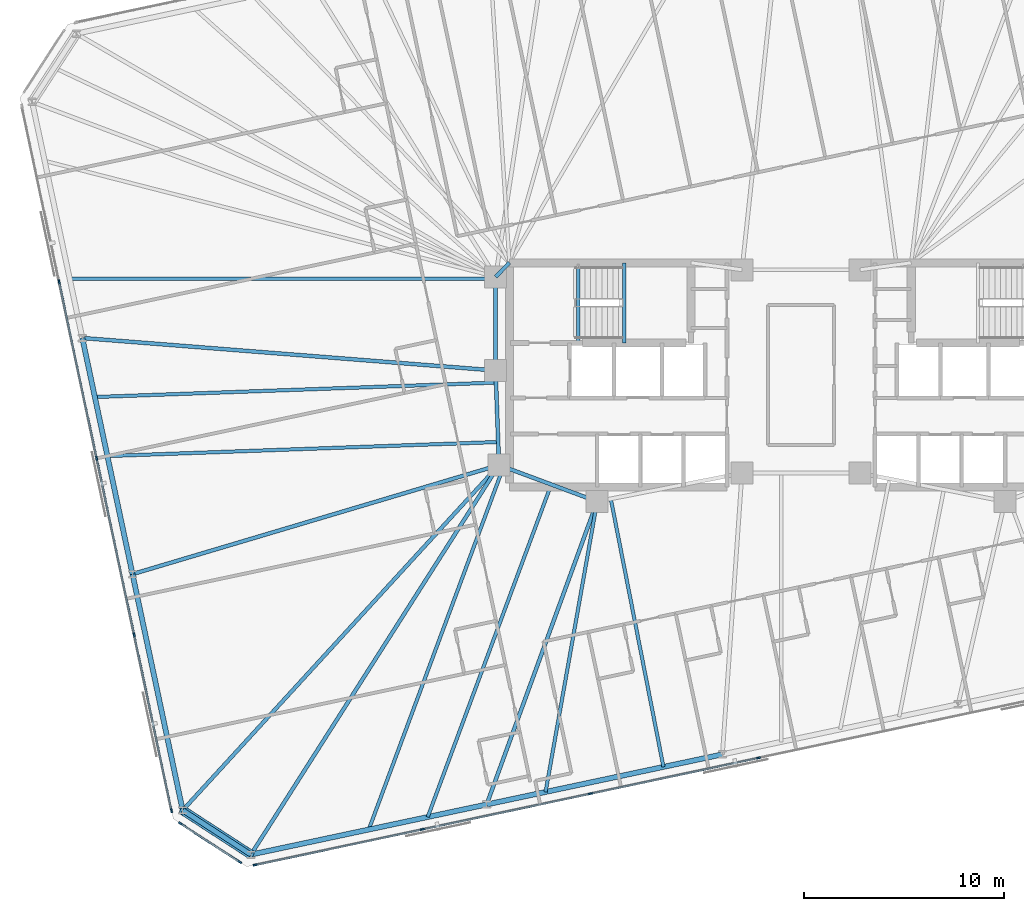
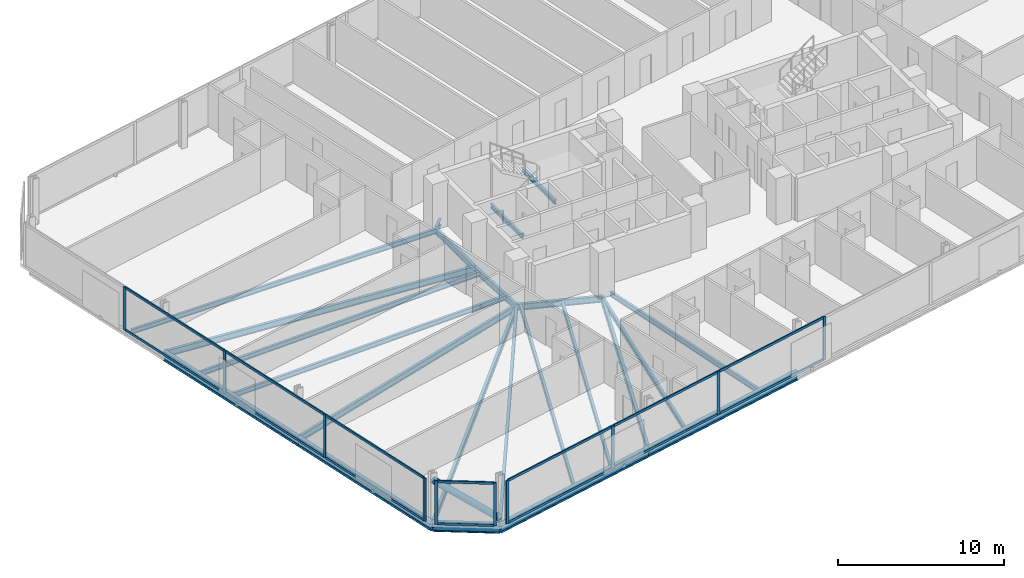
# One storey, part 6 of 21: 25 members, 23 beams, 3 elements without a shape of their own.
"""IFC4 building model written with IfcOpenShell, lengths in metres."""

from ifc_helpers import new_model, si_unit, direction, frame, origin, origin_2d, place, context, subcontext, project, spatial, rectangle, hollow_circle, i_section, extrude, material, material_profile, profile_set, type_object, element, aggregate, save


model = new_model("IFC4")

# Units and contexts
model_context = context("Model", 3, precision=1e-05, world=origin(), true_north=direction((0.0, 1.0)))
body_context = subcontext(model_context, "Body", "Model", "MODEL_VIEW")
ifc_project = project(units=[si_unit("LENGTHUNIT", "METRE"), si_unit("AREAUNIT", "SQUARE_METRE"), si_unit("VOLUMEUNIT", "CUBIC_METRE"), si_unit("PLANEANGLEUNIT", "RADIAN"), si_unit("MASSUNIT", "GRAM", prefix="KILO")], contexts=[model_context])

# Site, building, storey
site_placement = place(None, origin())
site = spatial("IfcSite", under=ifc_project, at=site_placement, CompositionType="ELEMENT")
building_placement = place(site_placement, origin())
building = spatial("IfcBuilding", under=site, at=building_placement, Name="Menara Jurai Vektor", CompositionType="ELEMENT")
storey_placement = place(building_placement, frame((0.0, 0.0, 188.800048828125)))
storey = spatial("IfcBuildingStorey", under=building, at=storey_placement, Name="L49", CompositionType="ELEMENT", Elevation=188.800048828125)

# Curtain wall, members
ifc_material_1 = material(Name="Anodised Pale Aluminium & Low-E Double Glazing", Category="aluminium")
curtain_wall_type = type_object("IfcCurtainWallType", Name="CW-BLK3", PredefinedType="NOTDEFINED", material=ifc_material_1)
curtain_wall_1_placement = place(storey_placement, origin())
curtain_wall_1 = element("IfcCurtainWall", 1, at=curtain_wall_1_placement, inside=storey, type_object=curtain_wall_type, Name="Unitised Curtain Wall L49 F01", PredefinedType="NOTDEFINED")
ifc_material_2 = material(Name="Anodised Pale Aluminium Mullion", Category="aluminium")
ifc_material_profile_1 = material_profile(ifc_material_2, rectangle(XDim=0.0849609375, YDim=0.205078125, at=origin_2d()), Name="ALU MUL 85x205")
ifc_profile_set_1 = profile_set([ifc_material_profile_1], Name="Anodised Pale Aluminium Mullion")
member_type_1 = type_object("IfcMemberType", Name="CW-BLK3-MUL", PredefinedType="MULLION", material=ifc_profile_set_1)
member_1_placement = place(storey_placement, frame((-27.25244140625, -24.462890625, 0.0), z_axis=(0.0, 0.0, 1.0), x_axis=(-0.207911344156, 0.978147674419, 0.0)))
member_1 = element("IfcMember", 2, at=member_1_placement, type_object=member_type_1, Name="CW-03 mullion 1", PredefinedType="MULLION", context=body_context, shape_type="SweptSolid", body=[
    extrude(rectangle(XDim=0.0849609375, YDim=0.205078125, at=origin_2d()), origin(), (0.0, 0.0, 1.0), 3.175048828125),
])
member_2_placement = place(storey_placement, frame((-18.904296875, -22.6884765625, 0.0), z_axis=(0.0, 0.0, 1.0), x_axis=(-0.207911344156, 0.978147674419, 0.0)))
member_2 = element("IfcMember", 3, at=member_2_placement, type_object=member_type_1, Name="CW-03 mullion 2", PredefinedType="MULLION", context=body_context, shape_type="SweptSolid", body=[
    extrude(rectangle(XDim=0.0849609375, YDim=0.205078125, at=origin_2d()), origin(), (0.0, 0.0, 1.0), 3.175048828125),
])
member_3_placement = place(storey_placement, frame((-10.514404296875, -20.905029296875, 0.0), z_axis=(0.0, 0.0, 1.0), x_axis=(-0.207911344156, 0.978147674419, 0.0)))
member_3 = element("IfcMember", 4, at=member_3_placement, type_object=member_type_1, Name="CW-03 mullion 3", PredefinedType="MULLION", context=body_context, shape_type="SweptSolid", body=[
    extrude(rectangle(XDim=0.0849609375, YDim=0.205078125, at=origin_2d()), origin(), (0.0, 0.0, 1.0), 3.175048828125),
])
member_4_placement = place(storey_placement, frame((-2.124755859375, -19.121826171875, 0.0), z_axis=(0.0, 0.0, 1.0), x_axis=(-0.207911344156, 0.978147674419, 0.0)))
member_4 = element("IfcMember", 5, at=member_4_placement, type_object=member_type_1, Name="CW-03 mullion 4", PredefinedType="MULLION", context=body_context, shape_type="SweptSolid", body=[
    extrude(rectangle(XDim=0.0849609375, YDim=0.205078125, at=origin_2d()), origin(), (0.0, 0.0, 1.0), 3.175048828125),
])

curtain_wall_2_placement = place(storey_placement, origin())
curtain_wall_2 = element("IfcCurtainWall", 6, at=curtain_wall_2_placement, inside=storey, type_object=curtain_wall_type, Name="Unitised Curtain Wall L49 F07", PredefinedType="NOTDEFINED")
member_5_placement = place(storey_placement, frame((-37.041259765625, 4.648193359375, 0.0), z_axis=(0.0, 0.0, 1.0), x_axis=(0.978147883949, 0.20791035839, 0.0)))
member_5 = element("IfcMember", 7, at=member_5_placement, type_object=member_type_1, Name="CW-03 mullion 2", PredefinedType="MULLION", context=body_context, shape_type="SweptSolid", body=[
    extrude(rectangle(XDim=0.0849609375, YDim=0.205078125, at=origin_2d()), origin(), (0.0, 0.0, 1.0), 3.175048828125),
])
member_6_placement = place(storey_placement, frame((-35.16796875, -4.1650390625, 0.0), z_axis=(0.0, 0.0, 1.0), x_axis=(0.978147883949, 0.20791035839, 0.0)))
member_6 = element("IfcMember", 8, at=member_6_placement, type_object=member_type_1, Name="CW-03 mullion 3", PredefinedType="MULLION", context=body_context, shape_type="SweptSolid", body=[
    extrude(rectangle(XDim=0.0849609375, YDim=0.205078125, at=origin_2d()), origin(), (0.0, 0.0, 1.0), 3.175048828125),
])
member_7_placement = place(storey_placement, frame((-33.294677734375, -12.978271484375, 0.0), z_axis=(0.0, 0.0, 1.0), x_axis=(0.978147883949, 0.20791035839, 0.0)))
member_7 = element("IfcMember", 9, at=member_7_placement, type_object=member_type_1, Name="CW-03 mullion 4", PredefinedType="MULLION", context=body_context, shape_type="SweptSolid", body=[
    extrude(rectangle(XDim=0.0849609375, YDim=0.205078125, at=origin_2d()), origin(), (0.0, 0.0, 1.0), 3.175048828125),
])
member_8_placement = place(storey_placement, frame((-31.43017578125, -21.749755859375, 0.0), z_axis=(0.0, 0.0, 1.0), x_axis=(0.978147883949, 0.20791035839, 0.0)))
member_8 = element("IfcMember", 10, at=member_8_placement, type_object=member_type_1, Name="CW-03 mullion 5", PredefinedType="MULLION", context=body_context, shape_type="SweptSolid", body=[
    extrude(rectangle(XDim=0.0849609375, YDim=0.205078125, at=origin_2d()), origin(), (0.0, 0.0, 1.0), 3.175048828125),
])

curtain_wall_3_placement = place(storey_placement, origin())
curtain_wall_3 = element("IfcCurtainWall", 11, at=curtain_wall_3_placement, inside=storey, type_object=curtain_wall_type, Name="Unitised Curtain Wall L49 F08", PredefinedType="NOTDEFINED")
member_9_placement = place(storey_placement, frame((-30.988037109375, -22.39306640625, 0.0), z_axis=(0.0, 0.0, 1.0), x_axis=(0.544617794346, 0.838684361415, 0.0)))
member_9 = element("IfcMember", 12, at=member_9_placement, type_object=member_type_1, Name="CW-03 mullion 1", PredefinedType="MULLION", context=body_context, shape_type="SweptSolid", body=[
    extrude(rectangle(XDim=0.0849609375, YDim=0.205078125, at=origin_2d()), origin(), (0.0, 0.0, 1.0), 3.175048828125),
])
member_10_placement = place(storey_placement, frame((-28.02001953125, -24.320556640625, 0.0), z_axis=(0.0, 0.0, 1.0), x_axis=(0.544617794346, 0.838684361415, 0.0)))
member_10 = element("IfcMember", 13, at=member_10_placement, type_object=member_type_1, Name="CW-03 mullion 2", PredefinedType="MULLION", context=body_context, shape_type="SweptSolid", body=[
    extrude(rectangle(XDim=0.0849609375, YDim=0.205078125, at=origin_2d()), origin(), (0.0, 0.0, 1.0), 3.175048828125),
])

# Member
ifc_material_3 = material(Name="Anodised Pale Aluminium Transom", Category="aluminium")
ifc_material_profile_2 = material_profile(ifc_material_3, rectangle(XDim=0.0849609375, YDim=0.175048828125, at=origin_2d()), Name="ALU TRN 85x175")
ifc_profile_set_2 = profile_set([ifc_material_profile_2], Name="Anodised Pale Aluminium Transom")
member_type_2 = type_object("IfcMemberType", Name="CW-BLK3-TRN", PredefinedType="USERDEFINED", material=ifc_profile_set_2)
member_11_placement = place(storey_placement, frame((-27.210693359375, -24.4541015625, 0.04248046875), z_axis=(0.978145704369, 0.207920612313, 0.0), x_axis=(-0.207920612313, 0.978145704369, 0.0)))
member_11 = element("IfcMember", 14, at=member_11_placement, type_object=member_type_2, Name="CW-03 transom 1.1", ObjectType="TRANSOM", PredefinedType="USERDEFINED", context=body_context, shape_type="SweptSolid", body=[
    extrude(rectangle(XDim=0.0849609375, YDim=0.175048828125, at=origin_2d()), origin(), (0.0, 0.0, 1.0), 8.449462890625),
])

member_12_placement = place(storey_placement, frame((-27.210693359375, -24.4541015625, 3.132568359375), z_axis=(0.978145704369, 0.207920612313, 0.0), x_axis=(-0.207920612313, 0.978145704369, 0.0)))
member_12 = element("IfcMember", 15, at=member_12_placement, type_object=member_type_2, Name="CW-03 transom 1.2", ObjectType="TRANSOM", PredefinedType="USERDEFINED", context=body_context, shape_type="SweptSolid", body=[
    extrude(rectangle(XDim=0.0849609375, YDim=0.175048828125, at=origin_2d()), origin(), (0.0, 0.0, 1.0), 8.449462890625),
])

member_13_placement = place(storey_placement, frame((-18.862548828125, -22.6796875, 0.04248046875), z_axis=(0.978146500933, 0.207916864907, 0.0), x_axis=(-0.207916864907, 0.978146500933, 0.0)))
member_13 = element("IfcMember", 16, at=member_13_placement, type_object=member_type_2, Name="CW-03 transom 2.1", ObjectType="TRANSOM", PredefinedType="USERDEFINED", context=body_context, shape_type="SweptSolid", body=[
    extrude(rectangle(XDim=0.0849609375, YDim=0.175048828125, at=origin_2d()), origin(), (0.0, 0.0, 1.0), 8.491943359375),
])

member_14_placement = place(storey_placement, frame((-18.862548828125, -22.6796875, 3.132568359375), z_axis=(0.978146500933, 0.207916864907, 0.0), x_axis=(-0.207916864907, 0.978146500933, 0.0)))
member_14 = element("IfcMember", 17, at=member_14_placement, type_object=member_type_2, Name="CW-03 transom 2.2", ObjectType="TRANSOM", PredefinedType="USERDEFINED", context=body_context, shape_type="SweptSolid", body=[
    extrude(rectangle(XDim=0.0849609375, YDim=0.175048828125, at=origin_2d()), origin(), (0.0, 0.0, 1.0), 8.491943359375),
])

member_15_placement = place(storey_placement, frame((-10.472900390625, -20.896240234375, 0.04248046875), z_axis=(0.978147743708, 0.207911018178, 0.0), x_axis=(-0.207911018178, 0.978147743708, 0.0)))
member_15 = element("IfcMember", 18, at=member_15_placement, type_object=member_type_2, Name="CW-03 transom 3.1", ObjectType="TRANSOM", PredefinedType="USERDEFINED", context=body_context, shape_type="SweptSolid", body=[
    extrude(rectangle(XDim=0.0849609375, YDim=0.175048828125, at=origin_2d()), origin(), (0.0, 0.0, 1.0), 8.4921875),
])

member_16_placement = place(storey_placement, frame((-10.472900390625, -20.896240234375, 3.132568359375), z_axis=(0.978147743708, 0.207911018178, 0.0), x_axis=(-0.207911018178, 0.978147743708, 0.0)))
member_16 = element("IfcMember", 19, at=member_16_placement, type_object=member_type_2, Name="CW-03 transom 3.2", ObjectType="TRANSOM", PredefinedType="USERDEFINED", context=body_context, shape_type="SweptSolid", body=[
    extrude(rectangle(XDim=0.0849609375, YDim=0.175048828125, at=origin_2d()), origin(), (0.0, 0.0, 1.0), 8.4921875),
])

aggregate(curtain_wall_1, [member_1, member_2, member_3, member_4, member_11, member_12, member_13, member_14, member_15, member_16])

member_17_placement = place(storey_placement, frame((-37.032470703125, 4.6064453125, 0.04248046875), z_axis=(0.207922224243, -0.978145361726, 0.0), x_axis=(0.978145361726, 0.207922224243, 0.0)))
member_17 = element("IfcMember", 20, at=member_17_placement, type_object=member_type_2, Name="CW-03 transom 2.1", ObjectType="TRANSOM", PredefinedType="USERDEFINED", context=body_context, shape_type="SweptSolid", body=[
    extrude(rectangle(XDim=0.0849609375, YDim=0.175048828125, at=origin_2d()), origin(), (0.0, 0.0, 1.0), 8.925048828125),
])

member_18_placement = place(storey_placement, frame((-37.032470703125, 4.6064453125, 3.132568359375), z_axis=(0.207922224243, -0.978145361726, 0.0), x_axis=(0.978145361726, 0.207922224243, 0.0)))
member_18 = element("IfcMember", 21, at=member_18_placement, type_object=member_type_2, Name="CW-03 transom 2.2", ObjectType="TRANSOM", PredefinedType="USERDEFINED", context=body_context, shape_type="SweptSolid", body=[
    extrude(rectangle(XDim=0.0849609375, YDim=0.175048828125, at=origin_2d()), origin(), (0.0, 0.0, 1.0), 8.925048828125),
])

member_19_placement = place(storey_placement, frame((-35.1591796875, -4.20654296875, 0.04248046875), z_axis=(0.207922224243, -0.978145361726, 0.0), x_axis=(0.978145361726, 0.207922224243, 0.0)))
member_19 = element("IfcMember", 22, at=member_19_placement, type_object=member_type_2, Name="CW-03 transom 3.1", ObjectType="TRANSOM", PredefinedType="USERDEFINED", context=body_context, shape_type="SweptSolid", body=[
    extrude(rectangle(XDim=0.0849609375, YDim=0.175048828125, at=origin_2d()), origin(), (0.0, 0.0, 1.0), 8.925048828125),
])

member_20_placement = place(storey_placement, frame((-35.1591796875, -4.20654296875, 3.132568359375), z_axis=(0.207922224243, -0.978145361726, 0.0), x_axis=(0.978145361726, 0.207922224243, 0.0)))
member_20 = element("IfcMember", 23, at=member_20_placement, type_object=member_type_2, Name="CW-03 transom 3.2", ObjectType="TRANSOM", PredefinedType="USERDEFINED", context=body_context, shape_type="SweptSolid", body=[
    extrude(rectangle(XDim=0.0849609375, YDim=0.175048828125, at=origin_2d()), origin(), (0.0, 0.0, 1.0), 8.925048828125),
])

member_21_placement = place(storey_placement, frame((-33.285888671875, -13.019775390625, 0.04248046875), z_axis=(0.207925814542, -0.978144598537, 0.0), x_axis=(0.978144598537, 0.207925814542, 0.0)))
member_21 = element("IfcMember", 24, at=member_21_placement, type_object=member_type_2, Name="CW-03 transom 4.1", ObjectType="TRANSOM", PredefinedType="USERDEFINED", context=body_context, shape_type="SweptSolid", body=[
    extrude(rectangle(XDim=0.0849609375, YDim=0.175048828125, at=origin_2d()), origin(), (0.0, 0.0, 1.0), 8.882568359375),
])

member_22_placement = place(storey_placement, frame((-33.285888671875, -13.019775390625, 3.132568359375), z_axis=(0.207925814542, -0.978144598537, 0.0), x_axis=(0.978144598537, 0.207925814542, 0.0)))
member_22 = element("IfcMember", 25, at=member_22_placement, type_object=member_type_2, Name="CW-03 transom 4.2", ObjectType="TRANSOM", PredefinedType="USERDEFINED", context=body_context, shape_type="SweptSolid", body=[
    extrude(rectangle(XDim=0.0849609375, YDim=0.175048828125, at=origin_2d()), origin(), (0.0, 0.0, 1.0), 8.882568359375),
])

aggregate(curtain_wall_2, [member_5, member_6, member_7, member_8, member_17, member_18, member_19, member_20, member_21, member_22])

member_23_placement = place(storey_placement, frame((-30.952392578125, -22.416259765625, 0.04248046875), z_axis=(0.83867770631, -0.54462804274, 0.0), x_axis=(0.54462804274, 0.83867770631, 0.0)))
member_23 = element("IfcMember", 26, at=member_23_placement, type_object=member_type_2, Name="CW-03 transom 1.1", ObjectType="TRANSOM", PredefinedType="USERDEFINED", context=body_context, shape_type="SweptSolid", body=[
    extrude(rectangle(XDim=0.0849609375, YDim=0.175048828125, at=origin_2d()), origin(), (0.0, 0.0, 1.0), 3.453857421875),
])

member_24_placement = place(storey_placement, frame((-30.952392578125, -22.416259765625, 3.132568359375), z_axis=(0.83867770631, -0.54462804274, 0.0), x_axis=(0.54462804274, 0.83867770631, 0.0)))
member_24 = element("IfcMember", 27, at=member_24_placement, type_object=member_type_2, Name="CW-03 transom 1.2", ObjectType="TRANSOM", PredefinedType="USERDEFINED", context=body_context, shape_type="SweptSolid", body=[
    extrude(rectangle(XDim=0.0849609375, YDim=0.175048828125, at=origin_2d()), origin(), (0.0, 0.0, 1.0), 3.453857421875),
])

aggregate(curtain_wall_3, [member_9, member_10, member_23, member_24])

# Beams
ifc_material_4 = material(Name="Steel S355", Category="steel")
ifc_material_profile_3 = material_profile(ifc_material_4, i_section(OverallWidth=0.19091796875, OverallDepth=0.4599609375, WebThickness=0.010009765625, FlangeThickness=0.01611328125, FilletRadius=0.010009765625, at=origin_2d()), Name="UKB 457x191x82")
ifc_profile_set_3 = profile_set([ifc_material_profile_3], Name="Steel S355")
beam_type_1 = type_object("IfcBeamType", Name="STR-BM-457", PredefinedType="BEAM", material=ifc_profile_set_3)
beam_1_placement = place(storey_placement, frame((-15.25, 4.89990234375, -0.455078125), z_axis=(0.701871936926, 0.712303154672, 0.0), x_axis=(-0.712303154672, 0.701871936926, 0.0)))
element("IfcBeam", 28, at=beam_1_placement, inside=storey, type_object=beam_type_1, Name="Core Ring Header Girder L49-CHW-N1", PredefinedType="BEAM", context=body_context, shape_type="SweptSolid", body=[
    extrude(i_section(OverallWidth=0.19091796875, OverallDepth=0.4599609375, WebThickness=0.010009765625, FlangeThickness=0.01611328125, FilletRadius=0.010009765625, at=origin_2d()), origin(), (0.0, 0.0, 1.0), 0.98291015625),
])
beam_2_placement = place(storey_placement, frame((-15.25, 0.219970703125, -0.455078125), z_axis=(0.0, 1.0, 0.0), x_axis=(-1.0, 0.0, 0.0)))
element("IfcBeam", 29, at=beam_2_placement, inside=storey, type_object=beam_type_1, Name="Core Ring Header Girder L49-CHW-W1", PredefinedType="BEAM", context=body_context, shape_type="SweptSolid", body=[
    extrude(i_section(OverallWidth=0.19091796875, OverallDepth=0.4599609375, WebThickness=0.010009765625, FlangeThickness=0.01611328125, FilletRadius=0.010009765625, at=origin_2d()), origin(), (0.0, 0.0, 1.0), 4.679931640625),
])
beam_3_placement = place(storey_placement, frame((-15.080078125, -4.5, -0.455078125), z_axis=(-0.035977314146, 0.999352606874, 0.0), x_axis=(-0.999352606874, -0.035977314146, 0.0)))
element("IfcBeam", 30, at=beam_3_placement, inside=storey, type_object=beam_type_1, Name="Core Ring Header Girder L49-CHW-W2", PredefinedType="BEAM", context=body_context, shape_type="SweptSolid", body=[
    extrude(i_section(OverallWidth=0.19091796875, OverallDepth=0.4599609375, WebThickness=0.010009765625, FlangeThickness=0.01611328125, FilletRadius=0.010009765625, at=origin_2d()), origin(), (0.0, 0.0, 1.0), 4.72314453125),
])
beam_4_placement = place(storey_placement, frame((-15.080078125, -4.5, -0.455078125), z_axis=(0.937424400887, -0.348188874925, 0.0), x_axis=(0.348188874925, 0.937424400887, 0.0)))
element("IfcBeam", 31, at=beam_4_placement, inside=storey, type_object=beam_type_1, Name="Core Ring Header Girder L49-CHW-S1", PredefinedType="BEAM", context=body_context, shape_type="SweptSolid", body=[
    extrude(i_section(OverallWidth=0.19091796875, OverallDepth=0.4599609375, WebThickness=0.010009765625, FlangeThickness=0.01611328125, FilletRadius=0.010009765625, at=origin_2d()), origin(), (0.0, 0.0, 1.0), 5.227294921875),
])
beam_5_placement = place(storey_placement, frame((-27.46484375, -23.94580078125, -0.455078125), z_axis=(0.537189280991, 0.843461721946, 0.0), x_axis=(-0.843461721946, 0.537189280991, 0.0)))
element("IfcBeam", 32, at=beam_5_placement, inside=storey, type_object=beam_type_1, Name="Radial Floor Girder L49-S1", PredefinedType="BEAM", context=body_context, shape_type="SweptSolid", body=[
    extrude(i_section(OverallWidth=0.19091796875, OverallDepth=0.4599609375, WebThickness=0.010009765625, FlangeThickness=0.01611328125, FilletRadius=0.010009765625, at=origin_2d()), origin(), (0.0, 0.0, 1.0), 23.0546875),
])
beam_6_placement = place(storey_placement, frame((-15.696533203125, -21.4443359375, -0.455078125), z_axis=(0.342668294367, 0.939456459893, 0.0), x_axis=(-0.939456459893, 0.342668294367, 0.0)))
element("IfcBeam", 33, at=beam_6_placement, inside=storey, type_object=beam_type_1, Name="Radial Floor Girder L49-S2", PredefinedType="BEAM", context=body_context, shape_type="SweptSolid", body=[
    extrude(i_section(OverallWidth=0.19091796875, OverallDepth=0.4599609375, WebThickness=0.010009765625, FlangeThickness=0.01611328125, FilletRadius=0.010009765625, at=origin_2d()), origin(), (0.0, 0.0, 1.0), 16.098876953125),
])
beam_7_placement = place(storey_placement, frame((-35.8828125, 1.843505859375, -0.455078125), z_axis=(0.996918476483, -0.078444574364, 0.0), x_axis=(0.078444574364, 0.996918476483, 0.0)))
element("IfcBeam", 34, at=beam_7_placement, inside=storey, type_object=beam_type_1, Name="Radial Floor Girder L49-W2", PredefinedType="BEAM", context=body_context, shape_type="SweptSolid", body=[
    extrude(i_section(OverallWidth=0.19091796875, OverallDepth=0.4599609375, WebThickness=0.010009765625, FlangeThickness=0.01611328125, FilletRadius=0.010009765625, at=origin_2d()), origin(), (0.0, 0.0, 1.0), 20.696533203125),
])
beam_8_placement = place(storey_placement, frame((-33.377197265625, -9.94482421875, -0.455078125), z_axis=(0.958462775407, 0.285217650505, 0.0), x_axis=(-0.285217650505, 0.958462775407, 0.0)))
element("IfcBeam", 35, at=beam_8_placement, inside=storey, type_object=beam_type_1, Name="Radial Floor Girder L49-W3", PredefinedType="BEAM", context=body_context, shape_type="SweptSolid", body=[
    extrude(i_section(OverallWidth=0.19091796875, OverallDepth=0.4599609375, WebThickness=0.010009765625, FlangeThickness=0.01611328125, FilletRadius=0.010009765625, at=origin_2d()), origin(), (0.0, 0.0, 1.0), 19.090087890625),
])
beam_9_placement = place(storey_placement, frame((-30.871337890625, -21.7333984375, -0.455078125), z_axis=(0.675584615662, 0.737282460852, 0.0), x_axis=(-0.737282460852, 0.675584615662, 0.0)))
element("IfcBeam", 36, at=beam_9_placement, inside=storey, type_object=beam_type_1, Name="Radial Floor Girder L49-W4", PredefinedType="BEAM", context=body_context, shape_type="SweptSolid", body=[
    extrude(i_section(OverallWidth=0.19091796875, OverallDepth=0.4599609375, WebThickness=0.010009765625, FlangeThickness=0.01611328125, FilletRadius=0.010009765625, at=origin_2d()), origin(), (0.0, 0.0, 1.0), 23.374267578125),
])

# Member
ifc_material_5 = material(Name="Steel S460", Category="steel")
ifc_material_profile_4 = material_profile(ifc_material_5, hollow_circle(Radius=0.228515625, WallThickness=0.01611328125, at=origin_2d()), Name="CHS 457x16")
ifc_profile_set_4 = profile_set([ifc_material_profile_4], Name="Steel S460")
member_type_3 = type_object("IfcMemberType", Name="STR-BR-457", PredefinedType="BRACE", material=ifc_profile_set_4)
member_25_placement = place(storey_placement, frame((-27.46484375, -23.94580078125, 0.14990234375), z_axis=(-0.700402825662, 0.454887866849, 0.5500117366), x_axis=(-0.544673525608, -0.838648168484, 0.0)))
element("IfcMember", 37, at=member_25_placement, inside=storey, type_object=member_type_3, Name="Exoskeleton Corner Brace L49-4", PredefinedType="BRACE", context=body_context, shape_type="SweptSolid", body=[
    extrude(hollow_circle(Radius=0.228515625, WallThickness=0.01611328125, at=origin_2d()), origin(), (0.0, 0.0, 1.0), 4.863525390625),
])

# Beams
ifc_material_profile_5 = material_profile(ifc_material_4, i_section(OverallWidth=0.172119140625, OverallDepth=0.35498046875, WebThickness=0.007080078125, FlangeThickness=0.011962890625, FilletRadius=0.010009765625, at=origin_2d()), Name="UKB 356x171x51")
ifc_profile_set_5 = profile_set([ifc_material_profile_5], Name="Steel S355")
beam_type_2 = type_object("IfcBeamType", Name="STR-JS-356", PredefinedType="JOIST", material=ifc_profile_set_5)
beam_10_placement = place(storey_placement, frame((-21.580810546875, -22.695068359375, -0.402587890625), z_axis=(0.348190019635, 0.937423975705, 0.0), x_axis=(-0.937423975705, 0.348190019635, 0.0)))
element("IfcBeam", 38, at=beam_10_placement, inside=storey, type_object=beam_type_2, Name="Radial Secondary Floor Joist L49-JS01", PredefinedType="JOIST", context=body_context, shape_type="SweptSolid", body=[
    extrude(i_section(OverallWidth=0.172119140625, OverallDepth=0.35498046875, WebThickness=0.007080078125, FlangeThickness=0.011962890625, FilletRadius=0.010009765625, at=origin_2d()), origin(), (0.0, 0.0, 1.0), 19.320068359375),
])
beam_11_placement = place(storey_placement, frame((-18.638671875, -22.069580078125, -0.402587890625), z_axis=(0.348193798412, 0.937422572135, 0.0), x_axis=(-0.937422572135, 0.348193798412, 0.0)))
element("IfcBeam", 39, at=beam_11_placement, inside=storey, type_object=beam_type_2, Name="Radial Secondary Floor Joist L49-JS02", PredefinedType="JOIST", context=body_context, shape_type="SweptSolid", body=[
    extrude(i_section(OverallWidth=0.172119140625, OverallDepth=0.35498046875, WebThickness=0.007080078125, FlangeThickness=0.011962890625, FilletRadius=0.010009765625, at=origin_2d()), origin(), (0.0, 0.0, 1.0), 17.709228515625),
])
beam_12_placement = place(storey_placement, frame((-12.75439453125, -20.819091796875, -0.402587890625), z_axis=(0.174826548521, 0.984599247375, 0.0), x_axis=(-0.984599247375, 0.174826548521, 0.0)))
element("IfcBeam", 40, at=beam_12_placement, inside=storey, type_object=beam_type_2, Name="Radial Secondary Floor Joist L49-JS03", PredefinedType="JOIST", context=body_context, shape_type="SweptSolid", body=[
    extrude(i_section(OverallWidth=0.172119140625, OverallDepth=0.35498046875, WebThickness=0.007080078125, FlangeThickness=0.011962890625, FilletRadius=0.010009765625, at=origin_2d()), origin(), (0.0, 0.0, 1.0), 14.725830078125),
])
beam_13_placement = place(storey_placement, frame((-6.870361328125, -19.568359375, -0.402587890625), z_axis=(-0.19273083746, 0.981251662058, 0.0), x_axis=(-0.981251662058, -0.19273083746, 0.0)))
element("IfcBeam", 41, at=beam_13_placement, inside=storey, type_object=beam_type_2, Name="Radial Secondary Floor Joist L49-JS04", PredefinedType="JOIST", context=body_context, shape_type="SweptSolid", body=[
    extrude(i_section(OverallWidth=0.172119140625, OverallDepth=0.35498046875, WebThickness=0.007080078125, FlangeThickness=0.011962890625, FilletRadius=0.010009765625, at=origin_2d()), origin(), (0.0, 0.0, 1.0), 13.6376953125),
])
beam_14_placement = place(storey_placement, frame((-36.50927734375, 4.790771484375, -0.402587890625), z_axis=(1.0, 0.0, 0.0), x_axis=(0.0, 1.0, 0.0)))
element("IfcBeam", 42, at=beam_14_placement, inside=storey, type_object=beam_type_2, Name="Radial Secondary Floor Joist L49-JS30", PredefinedType="JOIST", context=body_context, shape_type="SweptSolid", body=[
    extrude(i_section(OverallWidth=0.172119140625, OverallDepth=0.35498046875, WebThickness=0.007080078125, FlangeThickness=0.011962890625, FilletRadius=0.010009765625, at=origin_2d()), origin(), (0.0, 0.0, 1.0), 21.25927734375),
])
beam_15_placement = place(storey_placement, frame((-35.25634765625, -1.103515625, -0.402587890625), z_axis=(0.999351866858, 0.035997863919, 0.0), x_axis=(-0.035997863919, 0.999351866858, 0.0)))
element("IfcBeam", 43, at=beam_15_placement, inside=storey, type_object=beam_type_2, Name="Radial Secondary Floor Joist L49-JS31", PredefinedType="JOIST", context=body_context, shape_type="SweptSolid", body=[
    extrude(i_section(OverallWidth=0.172119140625, OverallDepth=0.35498046875, WebThickness=0.007080078125, FlangeThickness=0.011962890625, FilletRadius=0.010009765625, at=origin_2d()), origin(), (0.0, 0.0, 1.0), 20.041015625),
])
beam_16_placement = place(storey_placement, frame((-34.6298828125, -4.05078125, -0.402587890625), z_axis=(0.999352006705, 0.035993981369, 0.0), x_axis=(-0.035993981369, 0.999352006705, 0.0)))
element("IfcBeam", 44, at=beam_16_placement, inside=storey, type_object=beam_type_2, Name="Radial Secondary Floor Joist L49-JS32", PredefinedType="JOIST", context=body_context, shape_type="SweptSolid", body=[
    extrude(i_section(OverallWidth=0.172119140625, OverallDepth=0.35498046875, WebThickness=0.007080078125, FlangeThickness=0.011962890625, FilletRadius=0.010009765625, at=origin_2d()), origin(), (0.0, 0.0, 1.0), 19.52099609375),
])
ifc_material_profile_6 = material_profile(ifc_material_4, i_section(OverallWidth=0.1650390625, OverallDepth=0.302978515625, WebThickness=0.006103515625, FlangeThickness=0.010009765625, FilletRadius=0.009033203125, at=origin_2d()), Name="UKB 305x165x40")
ifc_profile_set_6 = profile_set([ifc_material_profile_6], Name="Steel S355")
beam_type_3 = type_object("IfcBeamType", Name="STR-LN-305", PredefinedType="LINTEL", material=ifc_profile_set_6)
beam_17_placement = place(storey_placement, frame((-11.1201171875, 1.60009765625, -0.37646484375), z_axis=(0.0, 1.0, 0.0), x_axis=(-1.0, 0.0, 0.0)))
element("IfcBeam", 45, at=beam_17_placement, inside=storey, type_object=beam_type_3, Name="Stair Well Floor Trimmer ST1 L49", PredefinedType="LINTEL", context=body_context, shape_type="SweptSolid", body=[
    extrude(i_section(OverallWidth=0.1650390625, OverallDepth=0.302978515625, WebThickness=0.006103515625, FlangeThickness=0.010009765625, FilletRadius=0.009033203125, at=origin_2d()), origin(), (0.0, 0.0, 1.0), 3.81982421875),
])
beam_18_placement = place(storey_placement, frame((-8.830078125, 1.60009765625, 1.348388671875), z_axis=(0.0, 1.0, 0.0), x_axis=(-1.0, 0.0, 0.0)))
element("IfcBeam", 46, at=beam_18_placement, inside=storey, type_object=beam_type_3, Name="Stair Half-Landing Nosing Trimmer ST1-1 L49", PredefinedType="LINTEL", context=body_context, shape_type="SweptSolid", body=[
    extrude(i_section(OverallWidth=0.1650390625, OverallDepth=0.302978515625, WebThickness=0.006103515625, FlangeThickness=0.010009765625, FilletRadius=0.009033203125, at=origin_2d()), origin(), (0.0, 0.0, 1.0), 4.0),
])
ifc_material_profile_7 = material_profile(ifc_material_5, i_section(OverallWidth=0.256103515625, OverallDepth=0.693115234375, WebThickness=0.013916015625, FlangeThickness=0.02392578125, FilletRadius=0.014892578125, at=origin_2d()), Name="UKB 686x254x170")
ifc_profile_set_7 = profile_set([ifc_material_profile_7], Name="Steel S460")
beam_type_4 = type_object("IfcBeamType", Name="STR-SP-686", PredefinedType="SPANDREL", material=ifc_profile_set_7)
beam_19_placement = place(storey_placement, frame((-27.46484375, -23.94580078125, -0.571533203125), z_axis=(0.978147039247, 0.207914332389, 0.0), x_axis=(-0.207914332389, 0.978147039247, 0.0)))
element("IfcBeam", 47, at=beam_19_placement, inside=storey, type_object=beam_type_4, Name="Exoskeleton Spandrel Beam L49-01", PredefinedType="SPANDREL", context=body_context, shape_type="SweptSolid", body=[
    extrude(i_section(OverallWidth=0.256103515625, OverallDepth=0.693115234375, WebThickness=0.013916015625, FlangeThickness=0.02392578125, FilletRadius=0.014892578125, at=origin_2d()), origin(), (0.0, 0.0, 1.0), 12.03125),
])
beam_20_placement = place(storey_placement, frame((-15.696533203125, -21.4443359375, -0.571533203125), z_axis=(0.97814616202, 0.207918459318, 0.0), x_axis=(-0.207918459318, 0.97814616202, 0.0)))
element("IfcBeam", 48, at=beam_20_placement, inside=storey, type_object=beam_type_4, Name="Exoskeleton Spandrel Beam L49-02", PredefinedType="SPANDREL", context=body_context, shape_type="SweptSolid", body=[
    extrude(i_section(OverallWidth=0.256103515625, OverallDepth=0.693115234375, WebThickness=0.013916015625, FlangeThickness=0.02392578125, FilletRadius=0.014892578125, at=origin_2d()), origin(), (0.0, 0.0, 1.0), 12.031005859375),
])
beam_21_placement = place(storey_placement, frame((-35.8828125, 1.843505859375, -0.571533203125), z_axis=(0.207906000604, -0.978148810209, 0.0), x_axis=(0.978148810209, 0.207906000604, 0.0)))
element("IfcBeam", 49, at=beam_21_placement, inside=storey, type_object=beam_type_4, Name="Exoskeleton Spandrel Beam L49-18", PredefinedType="SPANDREL", context=body_context, shape_type="SweptSolid", body=[
    extrude(i_section(OverallWidth=0.256103515625, OverallDepth=0.693115234375, WebThickness=0.013916015625, FlangeThickness=0.02392578125, FilletRadius=0.014892578125, at=origin_2d()), origin(), (0.0, 0.0, 1.0), 12.0517578125),
])
beam_22_placement = place(storey_placement, frame((-33.377197265625, -9.94482421875, -0.571533203125), z_axis=(0.207921262698, -0.978145566119, 0.0), x_axis=(0.978145566119, 0.207921262698, 0.0)))
element("IfcBeam", 50, at=beam_22_placement, inside=storey, type_object=beam_type_4, Name="Exoskeleton Spandrel Beam L49-19", PredefinedType="SPANDREL", context=body_context, shape_type="SweptSolid", body=[
    extrude(i_section(OverallWidth=0.256103515625, OverallDepth=0.693115234375, WebThickness=0.013916015625, FlangeThickness=0.02392578125, FilletRadius=0.014892578125, at=origin_2d()), origin(), (0.0, 0.0, 1.0), 12.052001953125),
])
beam_23_placement = place(storey_placement, frame((-30.871337890625, -21.7333984375, -0.571533203125), z_axis=(0.838648168484, -0.544673525608, 0.0), x_axis=(0.544673525608, 0.838648168484, 0.0)))
element("IfcBeam", 51, at=beam_23_placement, inside=storey, type_object=beam_type_4, Name="Exoskeleton Spandrel Beam L49-20", PredefinedType="SPANDREL", context=body_context, shape_type="SweptSolid", body=[
    extrude(i_section(OverallWidth=0.256103515625, OverallDepth=0.693115234375, WebThickness=0.013916015625, FlangeThickness=0.02392578125, FilletRadius=0.014892578125, at=origin_2d()), origin(), (0.0, 0.0, 1.0), 4.061767578125),
])

save(model, "model.ifc")
